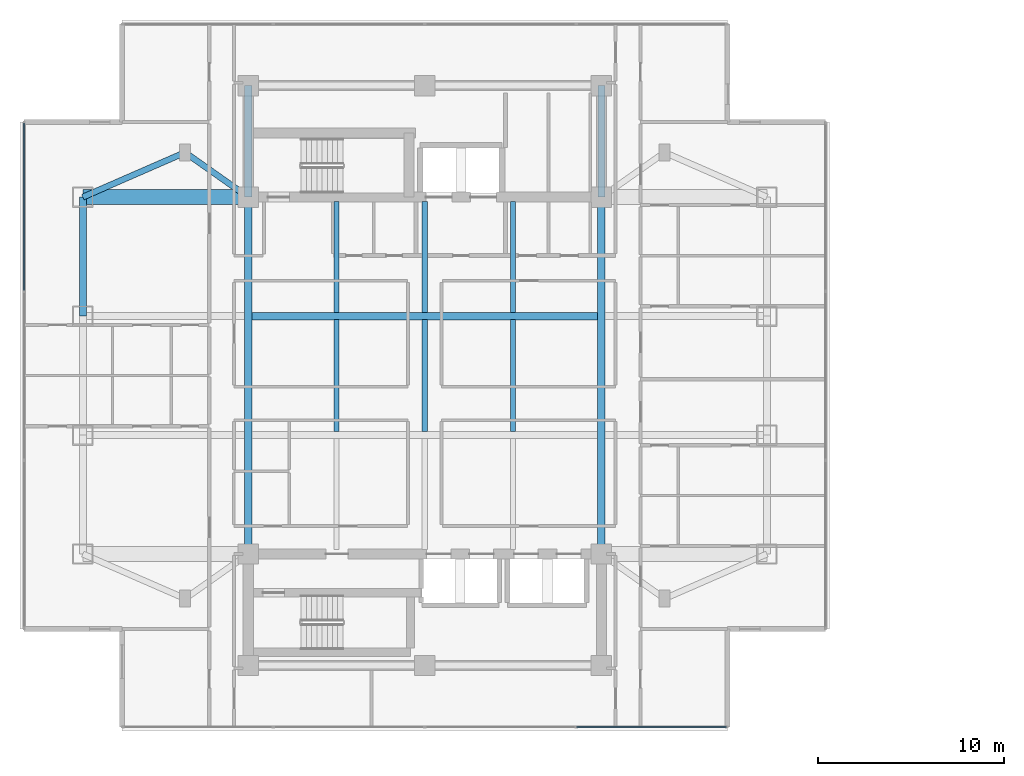
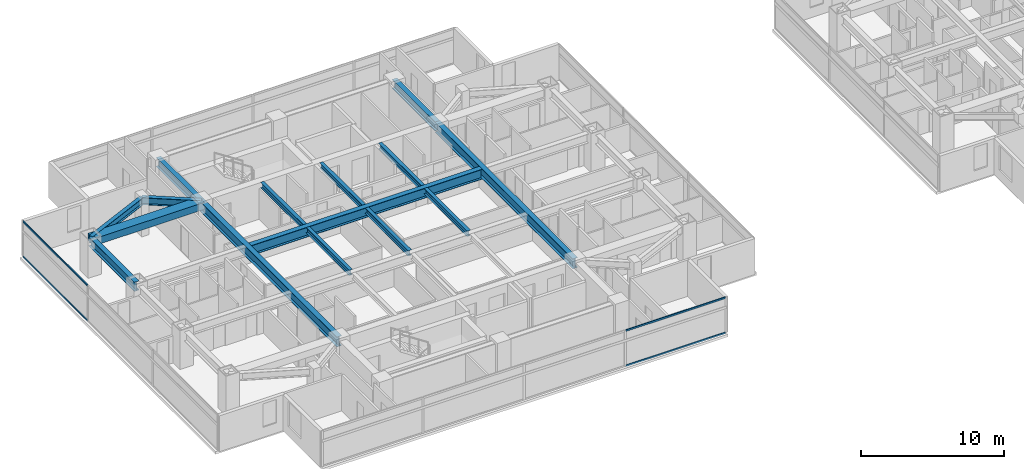
# One storey, part 3 of 24: 15 beams, 4 members, 2 elements without a shape of their own.
"""IFC4 building model written with IfcOpenShell, lengths in metres."""

from ifc_helpers import new_model, si_unit, direction, frame, origin, origin_2d, place, context, subcontext, project, spatial, rectangle, i_section, extrude, material, material_profile, profile_set, type_object, element, aggregate, save


model = new_model("IFC4")

# Units and contexts
model_context = context("Model", 3, precision=1e-05, world=origin(), true_north=direction((0.0, 1.0)))
body_context = subcontext(model_context, "Body", "Model", "MODEL_VIEW")
ifc_project = project(units=[si_unit("LENGTHUNIT", "METRE"), si_unit("AREAUNIT", "SQUARE_METRE"), si_unit("VOLUMEUNIT", "CUBIC_METRE"), si_unit("PLANEANGLEUNIT", "RADIAN"), si_unit("MASSUNIT", "GRAM", prefix="KILO")], contexts=[model_context])

# Site, building, storey
site_placement = place(None, origin())
site = spatial("IfcSite", under=ifc_project, at=site_placement, CompositionType="ELEMENT")
building_placement = place(site_placement, origin())
building = spatial("IfcBuilding", under=site, at=building_placement, Name="Mirazonda Arch Towers", CompositionType="ELEMENT")
storey_placement = place(building_placement, frame((0.0, 0.0, 137.89990234375)))
storey = spatial("IfcBuildingStorey", under=building, at=storey_placement, Name="L39", CompositionType="ELEMENT", Elevation=137.89990234375)

# Beams
ifc_material_1 = material(Name="Steel ASTM A992 Grade 50", Category="steel")
ifc_material_profile_1 = material_profile(ifc_material_1, i_section(OverallWidth=0.381103515625, OverallDepth=0.77294921875, WebThickness=0.0166015625, FlangeThickness=0.027099609375, at=origin_2d()), Name="W30X173")
ifc_profile_set_1 = profile_set([ifc_material_profile_1], Name="Steel ASTM A992 Grade 50")
beam_type_1 = type_object("IfcBeamType", Name="BM-EXT-W30X173", PredefinedType="USERDEFINED", material=ifc_profile_set_1)
beam_1_placement = place(storey_placement, frame((2.10009765625, 31.199951171875, 2.693603515625), z_axis=(0.0, 1.0, 0.0), x_axis=(-1.0, 0.0, 0.0)))
element("IfcBeam", 1, at=beam_1_placement, inside=storey, type_object=beam_type_1, Name="L39 Floor Beam BM-T1-L39-NS-W-31", ObjectType="GIRDER", PredefinedType="USERDEFINED", context=body_context, shape_type="SweptSolid", body=[
    extrude(i_section(OverallWidth=0.381103515625, OverallDepth=0.77294921875, WebThickness=0.0166015625, FlangeThickness=0.027099609375, at=origin_2d()), origin(), (0.0, 0.0, 1.0), 6.400146484375),
])
ifc_material_profile_2 = material_profile(ifc_material_1, i_section(OverallWidth=0.280029296875, OverallDepth=0.462890625, WebThickness=0.0107421875, FlangeThickness=0.017333984375, at=origin_2d()), Name="W18X76")
ifc_profile_set_2 = profile_set([ifc_material_profile_2], Name="Steel ASTM A992 Grade 50")
beam_type_2 = type_object("IfcBeamType", Name="BM-INT-W18X76", PredefinedType="JOIST", material=ifc_profile_set_2)
beam_2_placement = place(storey_placement, frame((15.75, 31.39599609375, 2.8486328125), z_axis=(0.0, 1.0, 0.0), x_axis=(-1.0, 0.0, 0.0)))
element("IfcBeam", 2, at=beam_2_placement, inside=storey, type_object=beam_type_2, Name="L39 Floor Beam BM-T1-L39-J-157-31", PredefinedType="JOIST", context=body_context, shape_type="SweptSolid", body=[
    extrude(i_section(OverallWidth=0.280029296875, OverallDepth=0.462890625, WebThickness=0.0107421875, FlangeThickness=0.017333984375, at=origin_2d()), origin(), (0.0, 0.0, 1.0), 5.964111328125),
])
beam_3_placement = place(storey_placement, frame((15.75, 24.99609375, 2.8486328125), z_axis=(0.0, 1.0, 0.0), x_axis=(-1.0, 0.0, 0.0)))
element("IfcBeam", 3, at=beam_3_placement, inside=storey, type_object=beam_type_2, Name="L39 Floor Beam BM-T1-L39-J-157-24", PredefinedType="JOIST", context=body_context, shape_type="SweptSolid", body=[
    extrude(i_section(OverallWidth=0.280029296875, OverallDepth=0.462890625, WebThickness=0.0107421875, FlangeThickness=0.017333984375, at=origin_2d()), origin(), (0.0, 0.0, 1.0), 6.0078125),
])
beam_4_placement = place(storey_placement, frame((20.5, 31.39599609375, 2.8486328125), z_axis=(0.0, 1.0, 0.0), x_axis=(-1.0, 0.0, 0.0)))
element("IfcBeam", 4, at=beam_4_placement, inside=storey, type_object=beam_type_2, Name="L39 Floor Beam BM-T1-L39-J-205-31", PredefinedType="JOIST", context=body_context, shape_type="SweptSolid", body=[
    extrude(i_section(OverallWidth=0.280029296875, OverallDepth=0.462890625, WebThickness=0.0107421875, FlangeThickness=0.017333984375, at=origin_2d()), origin(), (0.0, 0.0, 1.0), 5.964111328125),
])
beam_5_placement = place(storey_placement, frame((20.5, 24.99609375, 2.8486328125), z_axis=(0.0, 1.0, 0.0), x_axis=(-1.0, 0.0, 0.0)))
element("IfcBeam", 5, at=beam_5_placement, inside=storey, type_object=beam_type_2, Name="L39 Floor Beam BM-T1-L39-J-205-24", PredefinedType="JOIST", context=body_context, shape_type="SweptSolid", body=[
    extrude(i_section(OverallWidth=0.280029296875, OverallDepth=0.462890625, WebThickness=0.0107421875, FlangeThickness=0.017333984375, at=origin_2d()), origin(), (0.0, 0.0, 1.0), 6.0078125),
])
beam_6_placement = place(storey_placement, frame((25.25, 31.39599609375, 2.8486328125), z_axis=(0.0, 1.0, 0.0), x_axis=(-1.0, 0.0, 0.0)))
element("IfcBeam", 6, at=beam_6_placement, inside=storey, type_object=beam_type_2, Name="L39 Floor Beam BM-T1-L39-J-252-31", PredefinedType="JOIST", context=body_context, shape_type="SweptSolid", body=[
    extrude(i_section(OverallWidth=0.280029296875, OverallDepth=0.462890625, WebThickness=0.0107421875, FlangeThickness=0.017333984375, at=origin_2d()), origin(), (0.0, 0.0, 1.0), 5.964111328125),
])
beam_7_placement = place(storey_placement, frame((25.25, 24.99609375, 2.8486328125), z_axis=(0.0, 1.0, 0.0), x_axis=(-1.0, 0.0, 0.0)))
element("IfcBeam", 7, at=beam_7_placement, inside=storey, type_object=beam_type_2, Name="L39 Floor Beam BM-T1-L39-J-252-24", PredefinedType="JOIST", context=body_context, shape_type="SweptSolid", body=[
    extrude(i_section(OverallWidth=0.280029296875, OverallDepth=0.462890625, WebThickness=0.0107421875, FlangeThickness=0.017333984375, at=origin_2d()), origin(), (0.0, 0.0, 1.0), 6.0078125),
])
ifc_material_profile_3 = material_profile(ifc_material_1, i_section(OverallWidth=0.324951171875, OverallDepth=0.615966796875, WebThickness=0.013916015625, FlangeThickness=0.021484375, at=origin_2d()), Name="W24X117")
ifc_profile_set_3 = profile_set([ifc_material_profile_3], Name="Steel ASTM A992 Grade 50")
beam_type_3 = type_object("IfcBeamType", Name="BM-INT-W24X117", PredefinedType="BEAM", material=ifc_profile_set_3)
beam_8_placement = place(storey_placement, frame((7.60009765625, 40.0, 2.772216796875), z_axis=(0.816971114901, -0.576678591087, 0.0), x_axis=(0.576678591087, 0.816971114901, 0.0)))
element("IfcBeam", 8, at=beam_8_placement, inside=storey, type_object=beam_type_3, Name="L39 Floor Beam BM-T1-L39-PL-NW1", PredefinedType="BEAM", context=body_context, shape_type="SweptSolid", body=[
    extrude(i_section(OverallWidth=0.324951171875, OverallDepth=0.615966796875, WebThickness=0.013916015625, FlangeThickness=0.021484375, at=origin_2d()), origin(), (0.0, 0.0, 1.0), 4.16162109375),
])
beam_9_placement = place(storey_placement, frame((7.60009765625, 40.0, 2.772216796875), z_axis=(-0.916545343703, -0.399930785183, 0.0), x_axis=(0.399930785183, -0.916545343703, 0.0)))
element("IfcBeam", 9, at=beam_9_placement, inside=storey, type_object=beam_type_3, Name="L39 Floor Beam BM-T1-L39-PL-NW2", PredefinedType="BEAM", context=body_context, shape_type="SweptSolid", body=[
    extrude(i_section(OverallWidth=0.324951171875, OverallDepth=0.615966796875, WebThickness=0.013916015625, FlangeThickness=0.021484375, at=origin_2d()), origin(), (0.0, 0.0, 1.0), 6.000732421875),
])
ifc_material_profile_4 = material_profile(ifc_material_1, i_section(OverallWidth=0.381103515625, OverallDepth=0.77294921875, WebThickness=0.0166015625, FlangeThickness=0.027099609375, at=origin_2d()), Name="W30X173")
ifc_profile_set_4 = profile_set([ifc_material_profile_4], Name="Steel ASTM A992 Grade 50")
beam_type_4 = type_object("IfcBeamType", Name="BM-INT-W30X173", PredefinedType="USERDEFINED", material=ifc_profile_set_4)
for number, where, z_axis, x_axis, name in (
    (10, (11.0, 37.60009765625, 2.693603515625), (0.0, 1.0, 0.0), (-1.0, 0.0, 0.0), "L39 Floor Beam BM-T1-L39-CNW"),
    (11, (30.0, 37.60009765625, 2.693603515625), (0.0, 1.0, 0.0), (-1.0, 0.0, 0.0), "L39 Floor Beam BM-T1-L39-CNE"),
):
    element("IfcBeam", number, at=place(storey_placement, frame(where, z_axis=z_axis, x_axis=x_axis)), inside=storey, type_object=beam_type_4, Name=name, ObjectType="GIRDER", PredefinedType="USERDEFINED", context=body_context, shape_type="SweptSolid", body=[
        extrude(i_section(OverallWidth=0.381103515625, OverallDepth=0.77294921875, WebThickness=0.0166015625, FlangeThickness=0.027099609375, at=origin_2d()), origin(), (0.0, 0.0, 1.0), 6.0),
    ])
ifc_material_profile_5 = material_profile(ifc_material_1, i_section(OverallWidth=0.39990234375, OverallDepth=0.85595703125, WebThickness=0.018310546875, FlangeThickness=0.029296875, at=origin_2d()), Name="W33X201")
ifc_profile_set_5 = profile_set([ifc_material_profile_5], Name="Steel ASTM A992 Grade 50")
beam_type_5 = type_object("IfcBeamType", Name="BM-INT-W33X201", PredefinedType="USERDEFINED", material=ifc_profile_set_5)
beam_10_placement = place(storey_placement, frame((11.199951171875, 31.199951171875, 2.652099609375), z_axis=(1.0, 0.0, 0.0), x_axis=(0.0, 1.0, 0.0)))
element("IfcBeam", 12, at=beam_10_placement, inside=storey, type_object=beam_type_5, Name="L39 Floor Beam BM-T1-L39-GC3", ObjectType="GIRDER", PredefinedType="USERDEFINED", context=body_context, shape_type="SweptSolid", body=[
    extrude(i_section(OverallWidth=0.39990234375, OverallDepth=0.85595703125, WebThickness=0.018310546875, FlangeThickness=0.029296875, at=origin_2d()), origin(), (0.0, 0.0, 1.0), 18.60009765625),
])
for number, where, z_axis, x_axis, name in (
    (13, (11.0, 18.39990234375, 2.652099609375), (0.0, 1.0, 0.0), (-1.0, 0.0, 0.0), "L39 Floor Beam BM-T1-L39-NS-CW-FULL"),
    (14, (30.0, 18.39990234375, 2.652099609375), (0.0, 1.0, 0.0), (-1.0, 0.0, 0.0), "L39 Floor Beam BM-T1-L39-NS-CE-FULL"),
):
    element("IfcBeam", number, at=place(storey_placement, frame(where, z_axis=z_axis, x_axis=x_axis)), inside=storey, type_object=beam_type_5, Name=name, ObjectType="GIRDER", PredefinedType="USERDEFINED", context=body_context, shape_type="SweptSolid", body=[
        extrude(i_section(OverallWidth=0.39990234375, OverallDepth=0.85595703125, WebThickness=0.018310546875, FlangeThickness=0.029296875, at=origin_2d()), origin(), (0.0, 0.0, 1.0), 19.2001953125),
    ])
ifc_material_2 = material(Name="Concrete C60/75", Category="concrete")
ifc_material_profile_6 = material_profile(ifc_material_2, rectangle(XDim=0.800048828125, YDim=0.60009765625, at=origin_2d()), Name="RCCB800x600")
ifc_profile_set_6 = profile_set([ifc_material_profile_6], Name="Concrete C60/75")
beam_type_6 = type_object("IfcBeamType", Name="CB-INT-RCCB800x600", PredefinedType="SPANDREL", material=ifc_profile_set_6)
beam_11_placement = place(storey_placement, frame((2.10009765625, 37.60009765625, 2.780029296875), z_axis=(1.0, 0.0, 0.0), x_axis=(0.0, 1.0, 0.0)))
element("IfcBeam", 15, at=beam_11_placement, inside=storey, type_object=beam_type_6, Name="L39 Floor Beam CBC-T1-L39-NW", PredefinedType="SPANDREL", context=body_context, shape_type="SweptSolid", body=[
    extrude(rectangle(XDim=0.800048828125, YDim=0.60009765625, at=origin_2d()), origin(), (0.0, 0.0, 1.0), 8.89990234375),
])

# Curtain wall, members
ifc_material_3 = material(Name="Anodised Aluminium and Low-E Glass", Category="aluminium")
curtain_wall_type = type_object("IfcCurtainWallType", Name="CW-HTL-UNIT", PredefinedType="NOTDEFINED", material=ifc_material_3)
curtain_wall_1_placement = place(storey_placement, origin())
curtain_wall_1 = element("IfcCurtainWall", 16, at=curtain_wall_1_placement, inside=storey, type_object=curtain_wall_type, Name="L39 T1 S Facade CW-L39-T1-S", PredefinedType="NOTDEFINED")
ifc_material_4 = material(Name="Anodised Aluminium Alloy", Category="aluminium")
ifc_material_profile_7 = material_profile(ifc_material_4, rectangle(XDim=0.074951171875, YDim=0.14501953125, at=origin_2d()), Name="ALU-TRAN-75x145")
ifc_profile_set_7 = profile_set([ifc_material_profile_7], Name="Anodised Aluminium Alloy")
member_type = type_object("IfcMemberType", Name="TRAN-CW-HTL-UNIT", PredefinedType="USERDEFINED", material=ifc_profile_set_7)
member_1_placement = place(storey_placement, frame((36.715087890625, 9.092041015625, 0.03759765625), z_axis=(-1.0, 0.0, 0.0), x_axis=(0.0, -1.0, 0.0)))
member_1 = element("IfcMember", 17, at=member_1_placement, type_object=member_type, Name="CW-112 transom 1.1", ObjectType="TRANSOM", PredefinedType="USERDEFINED", context=body_context, shape_type="SweptSolid", body=[
    extrude(rectangle(XDim=0.074951171875, YDim=0.14501953125, at=origin_2d()), origin(), (0.0, 0.0, 1.0), 8.032470703125),
])
member_2_placement = place(storey_placement, frame((36.715087890625, 9.092041015625, 3.022705078125), z_axis=(-1.0, 0.0, 0.0), x_axis=(0.0, -1.0, 0.0)))
member_2 = element("IfcMember", 18, at=member_2_placement, type_object=member_type, Name="CW-112 transom 1.2", ObjectType="TRANSOM", PredefinedType="USERDEFINED", context=body_context, shape_type="SweptSolid", body=[
    extrude(rectangle(XDim=0.074951171875, YDim=0.14501953125, at=origin_2d()), origin(), (0.0, 0.0, 1.0), 8.032470703125),
])
aggregate(curtain_wall_1, [member_1, member_2])

curtain_wall_2_placement = place(storey_placement, origin())
curtain_wall_2 = element("IfcCurtainWall", 19, at=curtain_wall_2_placement, inside=storey, type_object=curtain_wall_type, Name="L39 T1 W Facade CW-L39-T1-W", PredefinedType="NOTDEFINED")
member_3_placement = place(storey_placement, frame((-1.06005859375, 41.56298828125, 0.03759765625), z_axis=(0.0, -1.0, 0.0), x_axis=(1.0, 0.0, 0.0)))
member_3 = element("IfcMember", 20, at=member_3_placement, type_object=member_type, Name="CW-112 transom 1.1", ObjectType="TRANSOM", PredefinedType="USERDEFINED", context=body_context, shape_type="SweptSolid", body=[
    extrude(rectangle(XDim=0.074951171875, YDim=0.14501953125, at=origin_2d()), origin(), (0.0, 0.0, 1.0), 8.9794921875),
])
member_4_placement = place(storey_placement, frame((-1.06005859375, 41.56298828125, 3.022705078125), z_axis=(0.0, -1.0, 0.0), x_axis=(1.0, 0.0, 0.0)))
member_4 = element("IfcMember", 21, at=member_4_placement, type_object=member_type, Name="CW-112 transom 1.2", ObjectType="TRANSOM", PredefinedType="USERDEFINED", context=body_context, shape_type="SweptSolid", body=[
    extrude(rectangle(XDim=0.074951171875, YDim=0.14501953125, at=origin_2d()), origin(), (0.0, 0.0, 1.0), 8.9794921875),
])
aggregate(curtain_wall_2, [member_3, member_4])

save(model, "model.ifc")
